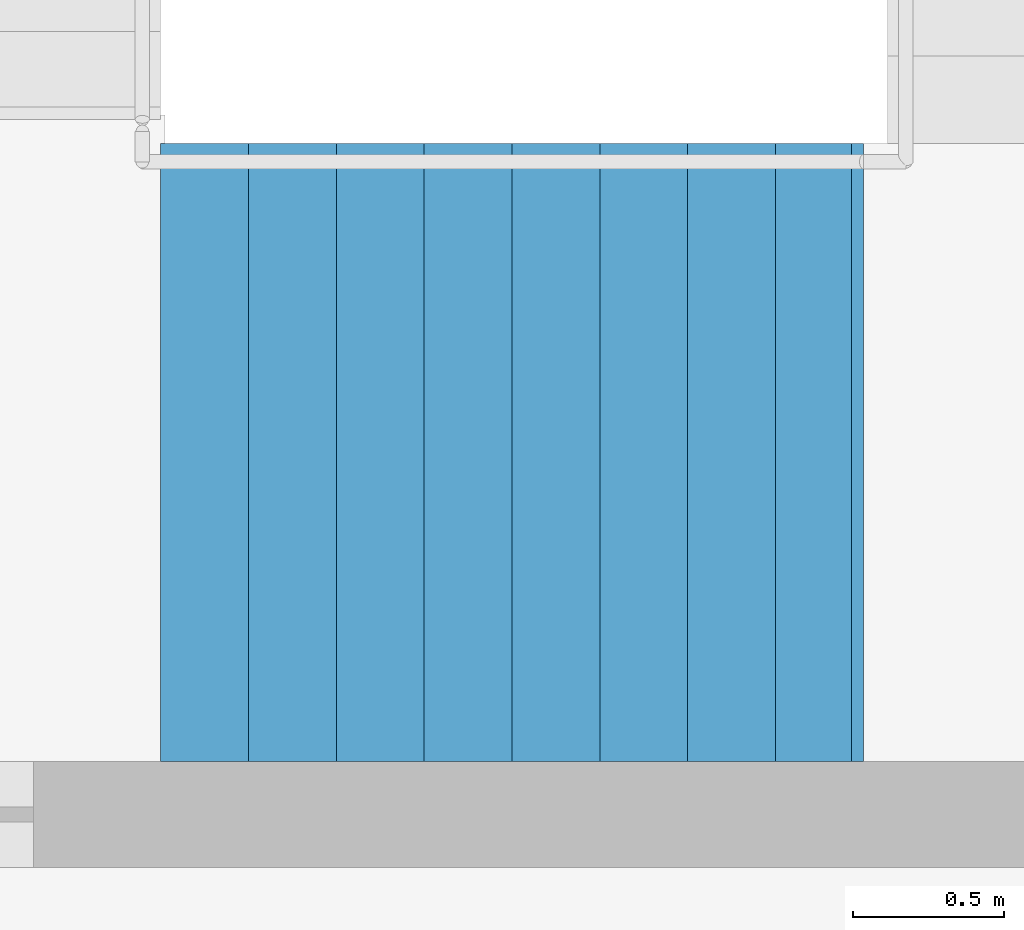
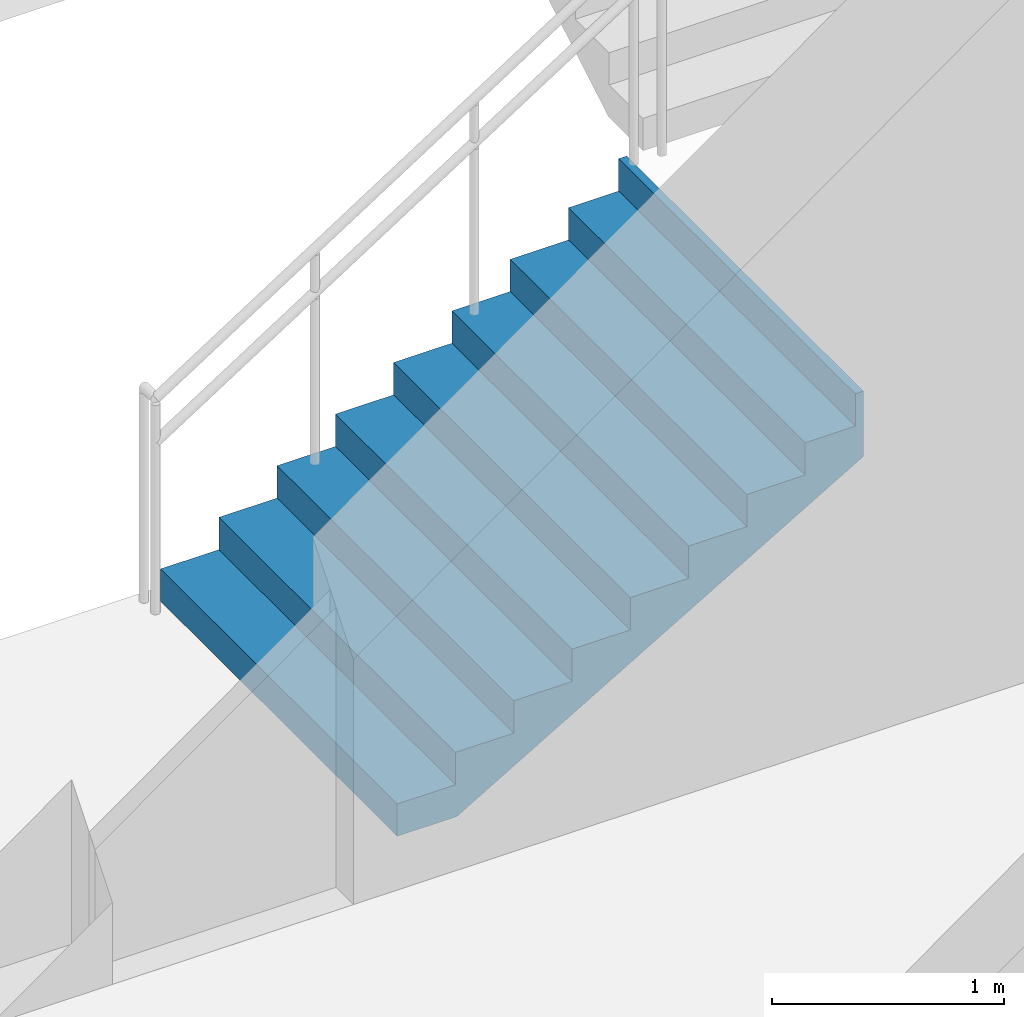
# One storey, part 51 of 58: 1 stair flight, 1 element without a shape of its own.
"""IFC4 building model written with IfcOpenShell, lengths in metres."""

from ifc_helpers import new_model, si_unit, direction, frame, origin, place, context, subcontext, project, spatial, triangles, material, type_object, element, aggregate, save


model = new_model("IFC4")

# Units and contexts
model_context = context("Model", 3, precision=1e-05, world=origin(), true_north=direction((0.0, 1.0)))
body_context = subcontext(model_context, "Body", "Model", "MODEL_VIEW")
ifc_project = project(units=[si_unit("LENGTHUNIT", "METRE"), si_unit("AREAUNIT", "SQUARE_METRE"), si_unit("VOLUMEUNIT", "CUBIC_METRE"), si_unit("PLANEANGLEUNIT", "RADIAN"), si_unit("MASSUNIT", "GRAM", prefix="KILO")], contexts=[model_context])

# Site, building, storey
site_placement = place(None, origin())
site = spatial("IfcSite", under=ifc_project, at=site_placement, CompositionType="ELEMENT")
building_placement = place(site_placement, origin())
building = spatial("IfcBuilding", under=site, at=building_placement, Name="Sillaruma Civic Art Gallery", CompositionType="ELEMENT")
storey_placement = place(building_placement, frame((0.0, 0.0, 22.43994140625)))
storey = spatial("IfcBuildingStorey", under=building, at=storey_placement, Name="L04", CompositionType="ELEMENT", Elevation=22.43994140625)

# Stair, stair flight
ifc_material = material(Name="Concrete H35 (35 MPa)", Category="concrete")
stair_type = type_object("IfcStairType", Name="STR-4F-36", PredefinedType="USERDEFINED", material=ifc_material)
stair_placement = place(storey_placement, origin())
stair = element("IfcStair", 1, at=stair_placement, inside=storey, type_object=stair_type, Name="Protected Exit Stair ST-02 (West Bar North) (L04)", ObjectType="THREE_RETURN_STAIR", PredefinedType="USERDEFINED")
stair_flight_type = type_object("IfcStairFlightType", Name="SFL-STR-9", PredefinedType="STRAIGHT", material=ifc_material)
stair_flight_placement = place(storey_placement, frame((64.800048828125, 81.929931640625, 0.0), z_axis=(0.0, 0.0, 1.0), x_axis=(1.0, 0.0, 0.0)))
stair_flight = element("IfcStairFlight", 2, at=stair_flight_placement, type_object=stair_flight_type, Name="ST-02 flight 1", NumberOfRisers=9, NumberOfTreads=8, PredefinedType="STRAIGHT", RiserHeight=0.17, TreadLength=0.29, context=body_context, shape_type="Tessellation", body=[
    triangles([(0.0, -1.02001953125, 0.0), (0.29, -1.02001953125, 0.0), (0.296482, -1.02001953125, 0.0), (0.58, -1.02001953125, 0.1662), (0.87, -1.02001953125, 0.3362), (1.16, -1.02001953125, 0.5062), (1.45, -1.02001953125, 0.6762), (1.74, -1.02001953125, 0.8462), (2.03, -1.02001953125, 1.0162), (2.280068, -1.02001953125, 1.162792), (2.320068, -1.02001953125, 1.18624), (2.320068, -1.02001953125, 1.53), (2.280068, -1.02001953125, 1.53), (2.280068, -1.02001953125, 1.36), (2.03, -1.02001953125, 1.36), (2.03, -1.02001953125, 1.19), (1.74, -1.02001953125, 1.19), (1.74, -1.02001953125, 1.02), (1.45, -1.02001953125, 1.02), (1.45, -1.02001953125, 0.85), (1.16, -1.02001953125, 0.85), (1.16, -1.02001953125, 0.68), (0.87, -1.02001953125, 0.68), (0.87, -1.02001953125, 0.51), (0.58, -1.02001953125, 0.51), (0.58, -1.02001953125, 0.34), (0.296482, -1.02001953125, 0.34), (0.29, -1.02001953125, 0.34), (0.29, -1.02001953125, 0.17), (0.0, -1.02001953125, 0.17), (0.0, -0.05, 0.0), (0.29, -0.05, 0.0), (0.296482, -0.05, 0.0), (0.58, -0.05, 0.1662), (0.87, -0.05, 0.3362), (1.16, -0.05, 0.5062), (1.45, -0.05, 0.6762), (1.74, -0.05, 0.8462), (2.03, -0.05, 1.0162), (2.280068, -0.05, 1.162792), (2.320068, -0.05, 1.18624), (2.320068, -0.05, 1.53), (2.280068, -0.05, 1.53), (2.280068, -0.05, 1.36), (2.03, -0.05, 1.36), (2.03, -0.05, 1.19), (1.74, -0.05, 1.19), (1.74, -0.05, 1.02), (1.45, -0.05, 1.02), (1.45, -0.05, 0.85), (1.16, -0.05, 0.85), (1.16, -0.05, 0.68), (0.87, -0.05, 0.68), (0.87, -0.05, 0.51), (0.58, -0.05, 0.51), (0.58, -0.05, 0.34), (0.296482, -0.05, 0.34), (0.29, -0.05, 0.34), (0.29, -0.05, 0.17), (0.0, -0.05, 0.17), (0.0, -0.0375, 0.0), (0.29, -0.0375, 0.0), (0.296482, -0.0375, 0.0), (0.58, -0.0375, 0.1662), (0.87, -0.0375, 0.3362), (1.16, -0.0375, 0.5062), (1.45, -0.0375, 0.6762), (1.74, -0.0375, 0.8462), (2.03, -0.0375, 1.0162), (2.280068, -0.0375, 1.162792), (2.320068, -0.0375, 1.18624), (2.320068, -0.0375, 1.53), (2.280068, -0.0375, 1.53), (2.280068, -0.0375, 1.36), (2.03, -0.0375, 1.36), (2.03, -0.0375, 1.19), (1.74, -0.0375, 1.19), (1.74, -0.0375, 1.02), (1.45, -0.0375, 1.02), (1.45, -0.0375, 0.85), (1.16, -0.0375, 0.85), (1.16, -0.0375, 0.68), (0.87, -0.0375, 0.68), (0.87, -0.0375, 0.51), (0.58, -0.0375, 0.51), (0.58, -0.0375, 0.34), (0.296482, -0.0375, 0.34), (0.29, -0.0375, 0.34), (0.29, -0.0375, 0.17), (0.0, -0.0375, 0.17), (0.0, -0.025, 0.0), (0.29, -0.025, 0.0), (0.296482, -0.025, 0.0), (0.58, -0.025, 0.1662), (0.87, -0.025, 0.3362), (1.16, -0.025, 0.5062), (1.45, -0.025, 0.6762), (1.74, -0.025, 0.8462), (2.03, -0.025, 1.0162), (2.280068, -0.025, 1.162792), (2.320068, -0.025, 1.18624), (2.320068, -0.025, 1.53), (2.280068, -0.025, 1.53), (2.280068, -0.025, 1.36), (2.03, -0.025, 1.36), (2.03, -0.025, 1.19), (1.74, -0.025, 1.19), (1.74, -0.025, 1.02), (1.45, -0.025, 1.02), (1.45, -0.025, 0.85), (1.16, -0.025, 0.85), (1.16, -0.025, 0.68), (0.87, -0.025, 0.68), (0.87, -0.025, 0.51), (0.58, -0.025, 0.51), (0.58, -0.025, 0.34), (0.296482, -0.025, 0.34), (0.29, -0.025, 0.34), (0.29, -0.025, 0.17), (0.0, -0.025, 0.17), (0.0, -0.0125, 0.0), (0.29, -0.0125, 0.0), (0.296482, -0.0125, 0.0), (0.58, -0.0125, 0.1662), (0.87, -0.0125, 0.3362), (1.16, -0.0125, 0.5062), (1.45, -0.0125, 0.6762), (1.74, -0.0125, 0.8462), (2.03, -0.0125, 1.0162), (2.280068, -0.0125, 1.162792), (2.320068, -0.0125, 1.18624), (2.320068, -0.0125, 1.53), (2.280068, -0.0125, 1.53), (2.280068, -0.0125, 1.36), (2.03, -0.0125, 1.36), (2.03, -0.0125, 1.19), (1.74, -0.0125, 1.19), (1.74, -0.0125, 1.02), (1.45, -0.0125, 1.02), (1.45, -0.0125, 0.85), (1.16, -0.0125, 0.85), (1.16, -0.0125, 0.68), (0.87, -0.0125, 0.68), (0.87, -0.0125, 0.51), (0.58, -0.0125, 0.51), (0.58, -0.0125, 0.34), (0.296482, -0.0125, 0.34), (0.29, -0.0125, 0.34), (0.29, -0.0125, 0.17), (0.0, -0.0125, 0.17), (0.0, 0.0, 0.0), (0.29, 0.0, 0.0), (0.296482, 0.0, 0.0), (0.58, 0.0, 0.1662), (0.87, 0.0, 0.3362), (1.16, 0.0, 0.5062), (1.45, 0.0, 0.6762), (1.74, 0.0, 0.8462), (2.03, 0.0, 1.0162), (2.280068, 0.0, 1.162792), (2.320068, 0.0, 1.18624), (2.320068, 0.0, 1.53), (2.280068, 0.0, 1.53), (2.280068, 0.0, 1.36), (2.03, 0.0, 1.36), (2.03, 0.0, 1.19), (1.74, 0.0, 1.19), (1.74, 0.0, 1.02), (1.45, 0.0, 1.02), (1.45, 0.0, 0.85), (1.16, 0.0, 0.85), (1.16, 0.0, 0.68), (0.87, 0.0, 0.68), (0.87, 0.0, 0.51), (0.58, 0.0, 0.51), (0.58, 0.0, 0.34), (0.296482, 0.0, 0.34), (0.29, 0.0, 0.34), (0.29, 0.0, 0.17), (0.0, 0.0, 0.17), (0.0, 0.0125, 0.0), (0.29, 0.0125, 0.0), (0.296482, 0.0125, 0.0), (0.58, 0.0125, 0.1662), (0.87, 0.0125, 0.3362), (1.16, 0.0125, 0.5062), (1.45, 0.0125, 0.6762), (1.74, 0.0125, 0.8462), (2.03, 0.0125, 1.0162), (2.280068, 0.0125, 1.162792), (2.320068, 0.0125, 1.18624), (2.320068, 0.0125, 1.53), (2.280068, 0.0125, 1.53), (2.280068, 0.0125, 1.36), (2.03, 0.0125, 1.36), (2.03, 0.0125, 1.19), (1.74, 0.0125, 1.19), (1.74, 0.0125, 1.02), (1.45, 0.0125, 1.02), (1.45, 0.0125, 0.85), (1.16, 0.0125, 0.85), (1.16, 0.0125, 0.68), (0.87, 0.0125, 0.68), (0.87, 0.0125, 0.51), (0.58, 0.0125, 0.51), (0.58, 0.0125, 0.34), (0.296482, 0.0125, 0.34), (0.29, 0.0125, 0.34), (0.29, 0.0125, 0.17), (0.0, 0.0125, 0.17), (0.0, 0.025, 0.0), (0.29, 0.025, 0.0), (0.296482, 0.025, 0.0), (0.58, 0.025, 0.1662), (0.87, 0.025, 0.3362), (1.16, 0.025, 0.5062), (1.45, 0.025, 0.6762), (1.74, 0.025, 0.8462), (2.03, 0.025, 1.0162), (2.280068, 0.025, 1.162792), (2.320068, 0.025, 1.18624), (2.320068, 0.025, 1.53), (2.280068, 0.025, 1.53), (2.280068, 0.025, 1.36), (2.03, 0.025, 1.36), (2.03, 0.025, 1.19), (1.74, 0.025, 1.19), (1.74, 0.025, 1.02), (1.45, 0.025, 1.02), (1.45, 0.025, 0.85), (1.16, 0.025, 0.85), (1.16, 0.025, 0.68), (0.87, 0.025, 0.68), (0.87, 0.025, 0.51), (0.58, 0.025, 0.51), (0.58, 0.025, 0.34), (0.296482, 0.025, 0.34), (0.29, 0.025, 0.34), (0.29, 0.025, 0.17), (0.0, 0.025, 0.17), (0.0, 0.0375, 0.0), (0.29, 0.0375, 0.0), (0.296482, 0.0375, 0.0), (0.58, 0.0375, 0.1662), (0.87, 0.0375, 0.3362), (1.16, 0.0375, 0.5062), (1.45, 0.0375, 0.6762), (1.74, 0.0375, 0.8462), (2.03, 0.0375, 1.0162), (2.280068, 0.0375, 1.162792), (2.320068, 0.0375, 1.18624), (2.320068, 0.0375, 1.53), (2.280068, 0.0375, 1.53), (2.280068, 0.0375, 1.36), (2.03, 0.0375, 1.36), (2.03, 0.0375, 1.19), (1.74, 0.0375, 1.19), (1.74, 0.0375, 1.02), (1.45, 0.0375, 1.02), (1.45, 0.0375, 0.85), (1.16, 0.0375, 0.85), (1.16, 0.0375, 0.68), (0.87, 0.0375, 0.68), (0.87, 0.0375, 0.51), (0.58, 0.0375, 0.51), (0.58, 0.0375, 0.34), (0.296482, 0.0375, 0.34), (0.29, 0.0375, 0.34), (0.29, 0.0375, 0.17), (0.0, 0.0375, 0.17), (0.0, 0.05, 0.0), (0.29, 0.05, 0.0), (0.296482, 0.05, 0.0), (0.58, 0.05, 0.1662), (0.87, 0.05, 0.3362), (1.16, 0.05, 0.5062), (1.45, 0.05, 0.6762), (1.74, 0.05, 0.8462), (2.03, 0.05, 1.0162), (2.280068, 0.05, 1.162792), (2.320068, 0.05, 1.18624), (2.320068, 0.05, 1.53), (2.280068, 0.05, 1.53), (2.280068, 0.05, 1.36), (2.03, 0.05, 1.36), (2.03, 0.05, 1.19), (1.74, 0.05, 1.19), (1.74, 0.05, 1.02), (1.45, 0.05, 1.02), (1.45, 0.05, 0.85), (1.16, 0.05, 0.85), (1.16, 0.05, 0.68), (0.87, 0.05, 0.68), (0.87, 0.05, 0.51), (0.58, 0.05, 0.51), (0.58, 0.05, 0.34), (0.296482, 0.05, 0.34), (0.29, 0.05, 0.34), (0.29, 0.05, 0.17), (0.0, 0.05, 0.17), (0.0, 1.02001953125, 0.0), (0.29, 1.02001953125, 0.0), (0.296482, 1.02001953125, 0.0), (0.58, 1.02001953125, 0.1662), (0.87, 1.02001953125, 0.3362), (1.16, 1.02001953125, 0.5062), (1.45, 1.02001953125, 0.6762), (1.74, 1.02001953125, 0.8462), (2.03, 1.02001953125, 1.0162), (2.280068, 1.02001953125, 1.162792), (2.320068, 1.02001953125, 1.18624), (2.320068, 1.02001953125, 1.53), (2.280068, 1.02001953125, 1.53), (2.280068, 1.02001953125, 1.36), (2.03, 1.02001953125, 1.36), (2.03, 1.02001953125, 1.19), (1.74, 1.02001953125, 1.19), (1.74, 1.02001953125, 1.02), (1.45, 1.02001953125, 1.02), (1.45, 1.02001953125, 0.85), (1.16, 1.02001953125, 0.85), (1.16, 1.02001953125, 0.68), (0.87, 1.02001953125, 0.68), (0.87, 1.02001953125, 0.51), (0.58, 1.02001953125, 0.51), (0.58, 1.02001953125, 0.34), (0.296482, 1.02001953125, 0.34), (0.29, 1.02001953125, 0.34), (0.29, 1.02001953125, 0.17), (0.0, 1.02001953125, 0.17)], [[1, 2, 29], [1, 29, 30], [2, 3, 27], [2, 27, 29], [29, 27, 28], [3, 4, 26], [3, 26, 27], [4, 5, 24], [4, 24, 26], [26, 24, 25], [5, 6, 22], [5, 22, 24], [24, 22, 23], [6, 7, 20], [6, 20, 22], [22, 20, 21], [7, 8, 18], [7, 18, 20], [20, 18, 19], [8, 9, 16], [8, 16, 18], [18, 16, 17], [9, 10, 14], [9, 14, 16], [16, 14, 15], [10, 11, 12], [10, 12, 14], [14, 12, 13], [329, 302, 301], [330, 329, 301], [327, 303, 302], [329, 327, 302], [328, 327, 329], [326, 304, 303], [327, 326, 303], [324, 305, 304], [326, 324, 304], [325, 324, 326], [322, 306, 305], [324, 322, 305], [323, 322, 324], [320, 307, 306], [322, 320, 306], [321, 320, 322], [318, 308, 307], [320, 318, 307], [319, 318, 320], [316, 309, 308], [318, 316, 308], [317, 316, 318], [314, 310, 309], [316, 314, 309], [315, 314, 316], [312, 311, 310], [314, 312, 310], [313, 312, 314], [2, 1, 31], [2, 31, 32], [3, 2, 32], [3, 32, 33], [4, 3, 33], [4, 33, 34], [5, 4, 34], [5, 34, 35], [6, 5, 35], [6, 35, 36], [7, 6, 36], [7, 36, 37], [8, 7, 37], [8, 37, 38], [9, 8, 38], [9, 38, 39], [10, 9, 39], [10, 39, 40], [11, 10, 40], [11, 40, 41], [12, 11, 41], [12, 41, 42], [13, 12, 42], [13, 42, 43], [14, 13, 43], [14, 43, 44], [15, 14, 44], [15, 44, 45], [16, 15, 45], [16, 45, 46], [17, 16, 46], [17, 46, 47], [18, 17, 47], [18, 47, 48], [19, 18, 48], [19, 48, 49], [20, 19, 49], [20, 49, 50], [21, 20, 50], [21, 50, 51], [22, 21, 51], [22, 51, 52], [23, 22, 52], [23, 52, 53], [24, 23, 53], [24, 53, 54], [25, 24, 54], [25, 54, 55], [26, 25, 55], [26, 55, 56], [27, 26, 56], [27, 56, 57], [28, 27, 57], [28, 57, 58], [29, 28, 58], [29, 58, 59], [30, 29, 59], [30, 59, 60], [1, 30, 60], [1, 60, 31], [32, 31, 61], [32, 61, 62], [33, 32, 62], [33, 62, 63], [34, 33, 63], [34, 63, 64], [35, 34, 64], [35, 64, 65], [36, 35, 65], [36, 65, 66], [37, 36, 66], [37, 66, 67], [38, 37, 67], [38, 67, 68], [39, 38, 68], [39, 68, 69], [40, 39, 69], [40, 69, 70], [41, 40, 70], [41, 70, 71], [42, 41, 71], [42, 71, 72], [43, 42, 72], [43, 72, 73], [44, 43, 73], [44, 73, 74], [45, 44, 74], [45, 74, 75], [46, 45, 75], [46, 75, 76], [47, 46, 76], [47, 76, 77], [48, 47, 77], [48, 77, 78], [49, 48, 78], [49, 78, 79], [50, 49, 79], [50, 79, 80], [51, 50, 80], [51, 80, 81], [52, 51, 81], [52, 81, 82], [53, 52, 82], [53, 82, 83], [54, 53, 83], [54, 83, 84], [55, 54, 84], [55, 84, 85], [56, 55, 85], [56, 85, 86], [57, 56, 86], [57, 86, 87], [58, 57, 87], [58, 87, 88], [59, 58, 88], [59, 88, 89], [60, 59, 89], [60, 89, 90], [31, 60, 90], [31, 90, 61], [62, 61, 91], [62, 91, 92], [63, 62, 92], [63, 92, 93], [64, 63, 93], [64, 93, 94], [65, 64, 94], [65, 94, 95], [66, 65, 95], [66, 95, 96], [67, 66, 96], [67, 96, 97], [68, 67, 97], [68, 97, 98], [69, 68, 98], [69, 98, 99], [70, 69, 99], [70, 99, 100], [71, 70, 100], [71, 100, 101], [72, 71, 101], [72, 101, 102], [73, 72, 102], [73, 102, 103], [74, 73, 103], [74, 103, 104], [75, 74, 104], [75, 104, 105], [76, 75, 105], [76, 105, 106], [77, 76, 106], [77, 106, 107], [78, 77, 107], [78, 107, 108], [79, 78, 108], [79, 108, 109], [80, 79, 109], [80, 109, 110], [81, 80, 110], [81, 110, 111], [82, 81, 111], [82, 111, 112], [83, 82, 112], [83, 112, 113], [84, 83, 113], [84, 113, 114], [85, 84, 114], [85, 114, 115], [86, 85, 115], [86, 115, 116], [87, 86, 116], [87, 116, 117], [88, 87, 117], [88, 117, 118], [89, 88, 118], [89, 118, 119], [90, 89, 119], [90, 119, 120], [61, 90, 120], [61, 120, 91], [92, 91, 121], [92, 121, 122], [93, 92, 122], [93, 122, 123], [94, 93, 123], [94, 123, 124], [95, 94, 124], [95, 124, 125], [96, 95, 125], [96, 125, 126], [97, 96, 126], [97, 126, 127], [98, 97, 127], [98, 127, 128], [99, 98, 128], [99, 128, 129], [100, 99, 129], [100, 129, 130], [101, 100, 130], [101, 130, 131], [102, 101, 131], [102, 131, 132], [103, 102, 132], [103, 132, 133], [104, 103, 133], [104, 133, 134], [105, 104, 134], [105, 134, 135], [106, 105, 135], [106, 135, 136], [107, 106, 136], [107, 136, 137], [108, 107, 137], [108, 137, 138], [109, 108, 138], [109, 138, 139], [110, 109, 139], [110, 139, 140], [111, 110, 140], [111, 140, 141], [112, 111, 141], [112, 141, 142], [113, 112, 142], [113, 142, 143], [114, 113, 143], [114, 143, 144], [115, 114, 144], [115, 144, 145], [116, 115, 145], [116, 145, 146], [117, 116, 146], [117, 146, 147], [118, 117, 147], [118, 147, 148], [119, 118, 148], [119, 148, 149], [120, 119, 149], [120, 149, 150], [91, 120, 150], [91, 150, 121], [122, 121, 151], [122, 151, 152], [123, 122, 152], [123, 152, 153], [124, 123, 153], [124, 153, 154], [125, 124, 154], [125, 154, 155], [126, 125, 155], [126, 155, 156], [127, 126, 156], [127, 156, 157], [128, 127, 157], [128, 157, 158], [129, 128, 158], [129, 158, 159], [130, 129, 159], [130, 159, 160], [131, 130, 160], [131, 160, 161], [132, 131, 161], [132, 161, 162], [133, 132, 162], [133, 162, 163], [134, 133, 163], [134, 163, 164], [135, 134, 164], [135, 164, 165], [136, 135, 165], [136, 165, 166], [137, 136, 166], [137, 166, 167], [138, 137, 167], [138, 167, 168], [139, 138, 168], [139, 168, 169], [140, 139, 169], [140, 169, 170], [141, 140, 170], [141, 170, 171], [142, 141, 171], [142, 171, 172], [143, 142, 172], [143, 172, 173], [144, 143, 173], [144, 173, 174], [145, 144, 174], [145, 174, 175], [146, 145, 175], [146, 175, 176], [147, 146, 176], [147, 176, 177], [148, 147, 177], [148, 177, 178], [149, 148, 178], [149, 178, 179], [150, 149, 179], [150, 179, 180], [121, 150, 180], [121, 180, 151], [152, 151, 181], [152, 181, 182], [153, 152, 182], [153, 182, 183], [154, 153, 183], [154, 183, 184], [155, 154, 184], [155, 184, 185], [156, 155, 185], [156, 185, 186], [157, 156, 186], [157, 186, 187], [158, 157, 187], [158, 187, 188], [159, 158, 188], [159, 188, 189], [160, 159, 189], [160, 189, 190], [161, 160, 190], [161, 190, 191], [162, 161, 191], [162, 191, 192], [163, 162, 192], [163, 192, 193], [164, 163, 193], [164, 193, 194], [165, 164, 194], [165, 194, 195], [166, 165, 195], [166, 195, 196], [167, 166, 196], [167, 196, 197], [168, 167, 197], [168, 197, 198], [169, 168, 198], [169, 198, 199], [170, 169, 199], [170, 199, 200], [171, 170, 200], [171, 200, 201], [172, 171, 201], [172, 201, 202], [173, 172, 202], [173, 202, 203], [174, 173, 203], [174, 203, 204], [175, 174, 204], [175, 204, 205], [176, 175, 205], [176, 205, 206], [177, 176, 206], [177, 206, 207], [178, 177, 207], [178, 207, 208], [179, 178, 208], [179, 208, 209], [180, 179, 209], [180, 209, 210], [151, 180, 210], [151, 210, 181], [182, 181, 211], [182, 211, 212], [183, 182, 212], [183, 212, 213], [184, 183, 213], [184, 213, 214], [185, 184, 214], [185, 214, 215], [186, 185, 215], [186, 215, 216], [187, 186, 216], [187, 216, 217], [188, 187, 217], [188, 217, 218], [189, 188, 218], [189, 218, 219], [190, 189, 219], [190, 219, 220], [191, 190, 220], [191, 220, 221], [192, 191, 221], [192, 221, 222], [193, 192, 222], [193, 222, 223], [194, 193, 223], [194, 223, 224], [195, 194, 224], [195, 224, 225], [196, 195, 225], [196, 225, 226], [197, 196, 226], [197, 226, 227], [198, 197, 227], [198, 227, 228], [199, 198, 228], [199, 228, 229], [200, 199, 229], [200, 229, 230], [201, 200, 230], [201, 230, 231], [202, 201, 231], [202, 231, 232], [203, 202, 232], [203, 232, 233], [204, 203, 233], [204, 233, 234], [205, 204, 234], [205, 234, 235], [206, 205, 235], [206, 235, 236], [207, 206, 236], [207, 236, 237], [208, 207, 237], [208, 237, 238], [209, 208, 238], [209, 238, 239], [210, 209, 239], [210, 239, 240], [181, 210, 240], [181, 240, 211], [212, 211, 241], [212, 241, 242], [213, 212, 242], [213, 242, 243], [214, 213, 243], [214, 243, 244], [215, 214, 244], [215, 244, 245], [216, 215, 245], [216, 245, 246], [217, 216, 246], [217, 246, 247], [218, 217, 247], [218, 247, 248], [219, 218, 248], [219, 248, 249], [220, 219, 249], [220, 249, 250], [221, 220, 250], [221, 250, 251], [222, 221, 251], [222, 251, 252], [223, 222, 252], [223, 252, 253], [224, 223, 253], [224, 253, 254], [225, 224, 254], [225, 254, 255], [226, 225, 255], [226, 255, 256], [227, 226, 256], [227, 256, 257], [228, 227, 257], [228, 257, 258], [229, 228, 258], [229, 258, 259], [230, 229, 259], [230, 259, 260], [231, 230, 260], [231, 260, 261], [232, 231, 261], [232, 261, 262], [233, 232, 262], [233, 262, 263], [234, 233, 263], [234, 263, 264], [235, 234, 264], [235, 264, 265], [236, 235, 265], [236, 265, 266], [237, 236, 266], [237, 266, 267], [238, 237, 267], [238, 267, 268], [239, 238, 268], [239, 268, 269], [240, 239, 269], [240, 269, 270], [211, 240, 270], [211, 270, 241], [242, 241, 271], [242, 271, 272], [243, 242, 272], [243, 272, 273], [244, 243, 273], [244, 273, 274], [245, 244, 274], [245, 274, 275], [246, 245, 275], [246, 275, 276], [247, 246, 276], [247, 276, 277], [248, 247, 277], [248, 277, 278], [249, 248, 278], [249, 278, 279], [250, 249, 279], [250, 279, 280], [251, 250, 280], [251, 280, 281], [252, 251, 281], [252, 281, 282], [253, 252, 282], [253, 282, 283], [254, 253, 283], [254, 283, 284], [255, 254, 284], [255, 284, 285], [256, 255, 285], [256, 285, 286], [257, 256, 286], [257, 286, 287], [258, 257, 287], [258, 287, 288], [259, 258, 288], [259, 288, 289], [260, 259, 289], [260, 289, 290], [261, 260, 290], [261, 290, 291], [262, 261, 291], [262, 291, 292], [263, 262, 292], [263, 292, 293], [264, 263, 293], [264, 293, 294], [265, 264, 294], [265, 294, 295], [266, 265, 295], [266, 295, 296], [267, 266, 296], [267, 296, 297], [268, 267, 297], [268, 297, 298], [269, 268, 298], [269, 298, 299], [270, 269, 299], [270, 299, 300], [241, 270, 300], [241, 300, 271], [272, 271, 301], [272, 301, 302], [273, 272, 302], [273, 302, 303], [274, 273, 303], [274, 303, 304], [275, 274, 304], [275, 304, 305], [276, 275, 305], [276, 305, 306], [277, 276, 306], [277, 306, 307], [278, 277, 307], [278, 307, 308], [279, 278, 308], [279, 308, 309], [280, 279, 309], [280, 309, 310], [281, 280, 310], [281, 310, 311], [282, 281, 311], [282, 311, 312], [283, 282, 312], [283, 312, 313], [284, 283, 313], [284, 313, 314], [285, 284, 314], [285, 314, 315], [286, 285, 315], [286, 315, 316], [287, 286, 316], [287, 316, 317], [288, 287, 317], [288, 317, 318], [289, 288, 318], [289, 318, 319], [290, 289, 319], [290, 319, 320], [291, 290, 320], [291, 320, 321], [292, 291, 321], [292, 321, 322], [293, 292, 322], [293, 322, 323], [294, 293, 323], [294, 323, 324], [295, 294, 324], [295, 324, 325], [296, 295, 325], [296, 325, 326], [297, 296, 326], [297, 326, 327], [298, 297, 327], [298, 327, 328], [299, 298, 328], [299, 328, 329], [300, 299, 329], [300, 329, 330], [271, 300, 330], [271, 330, 301]], closed=True),
])
aggregate(stair, [stair_flight])

save(model, "model.ifc")
